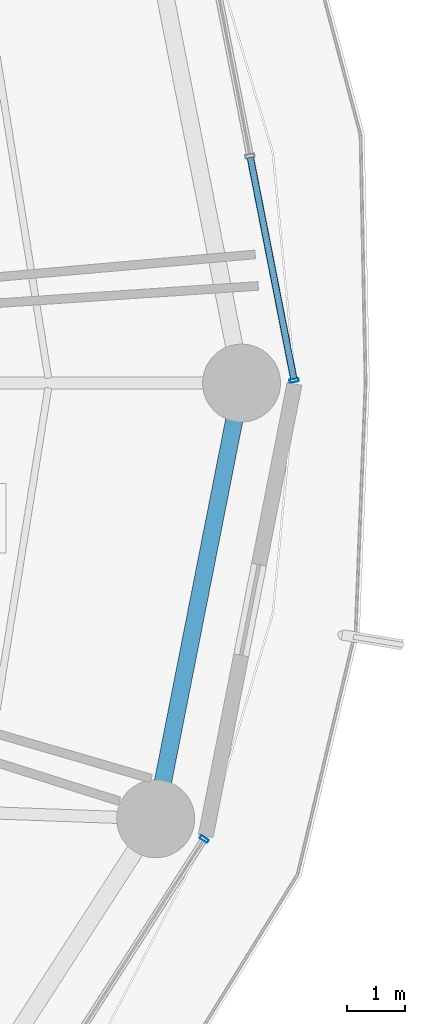
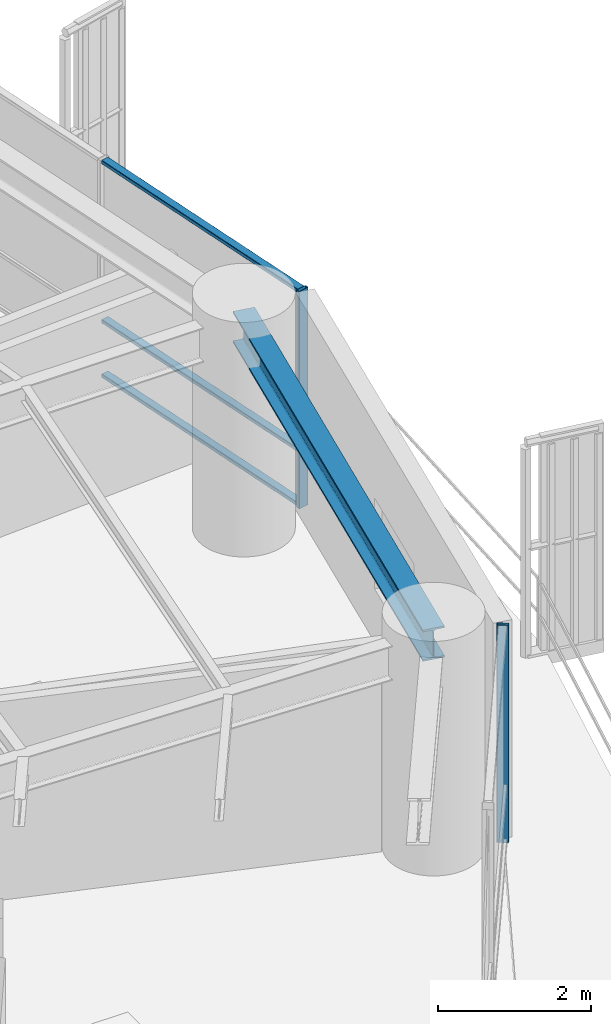
# One storey, part 16 of 38: 5 members, 1 beam, 2 elements without a shape of their own.
"""IFC4 building model written with IfcOpenShell, lengths in metres."""

from ifc_helpers import new_model, si_unit, direction, frame, origin, origin_2d, place, context, subcontext, project, spatial, hollow_rectangle, i_section, extrude, material, layer, layer_set, material_profile, profile_set, type_object, element, aggregate, save


model = new_model("IFC4")

# Units and contexts
model_context = context("Model", 3, precision=1e-05, world=origin(), true_north=direction((0.0, 1.0)))
body_context = subcontext(model_context, "Body", "Model", "MODEL_VIEW")
ifc_project = project(units=[si_unit("LENGTHUNIT", "METRE"), si_unit("AREAUNIT", "SQUARE_METRE"), si_unit("VOLUMEUNIT", "CUBIC_METRE"), si_unit("PLANEANGLEUNIT", "RADIAN"), si_unit("MASSUNIT", "GRAM", prefix="KILO")], contexts=[model_context])

# Site, building, storey
site_placement = place(None, origin())
site = spatial("IfcSite", under=ifc_project, at=site_placement, CompositionType="ELEMENT")
building_placement = place(site_placement, origin())
building = spatial("IfcBuilding", under=site, at=building_placement, Name="Kelanora Arch Commons", CompositionType="ELEMENT")
storey_placement = place(building_placement, frame((0.0, 0.0, 106.35009765625)))
storey = spatial("IfcBuildingStorey", under=building, at=storey_placement, Name="L27", CompositionType="ELEMENT", Elevation=106.35009765625)

# Beam
ifc_material_1 = material(Name="Steel S355", Category="steel")
ifc_material_profile_1 = material_profile(ifc_material_1, i_section(OverallWidth=0.300048828125, OverallDepth=0.5, WebThickness=0.014404296875, FlangeThickness=0.028076171875, FilletRadius=0.027099609375, at=origin_2d()), Name="HEB500")
ifc_profile_set_1 = profile_set([ifc_material_profile_1], Name="Steel S355")
beam_type = type_object("IfcBeamType", Name="BM-SPN-Z2", PredefinedType="SPANDREL", material=ifc_profile_set_1)
beam_placement = place(storey_placement, frame((97.191650390625, 50.4482421875, 3.239990234375), z_axis=(0.19335825777, 0.981128220037, 0.0), x_axis=(-0.981128220037, 0.19335825777, 0.0)))
element("IfcBeam", 1, at=beam_placement, inside=storey, type_object=beam_type, Name="Perimeter Spandrel Beam BS-34 L27", PredefinedType="SPANDREL", context=body_context, shape_type="SweptSolid", body=[
    extrude(i_section(OverallWidth=0.300048828125, OverallDepth=0.5, WebThickness=0.014404296875, FlangeThickness=0.028076171875, FilletRadius=0.027099609375, at=origin_2d()), origin(), (0.0, 0.0, 1.0), 7.697021484375),
])

# Curtain wall, member
ifc_material_2 = material(Name="Terracotta ceramic-fritted low-E glass and aluminium", Category="masonry")
ifc_layer = layer(ifc_material_2, 0.159912109375)
ifc_layer_set = layer_set([ifc_layer], Name="Terracotta ceramic-fritted low-E glass and aluminium")
curtain_wall_type = type_object("IfcCurtainWallType", Name="CW-SYS-01", PredefinedType="NOTDEFINED", material=ifc_layer_set)
curtain_wall_1_placement = place(storey_placement, origin())
curtain_wall_1 = element("IfcCurtainWall", 2, at=curtain_wall_1_placement, inside=storey, type_object=curtain_wall_type, Name="Unitised Curtain Wall L27-B00", PredefinedType="NOTDEFINED")
ifc_material_3 = material(Name="Powder-coated aluminium terracotta", Category="masonry")
ifc_material_profile_2 = material_profile(ifc_material_3, hollow_rectangle(XDim=0.159912109375, YDim=0.06005859375, WallThickness=0.0048828125, InnerFilletRadius=0.0048828125, OuterFilletRadius=0.010009765625, at=origin_2d()), Name="CWM160x60")
ifc_profile_set_2 = profile_set([ifc_material_profile_2], Name="Powder-coated aluminium terracotta")
member_type_1 = type_object("IfcMemberType", Name="CWM-STD", PredefinedType="MULLION", material=ifc_profile_set_2)
member_1_placement = place(storey_placement, frame((99.59130859375, 58.044189453125, 0.0), z_axis=(0.0, 0.0, 1.0), x_axis=(-0.981280311646, -0.192584916272, 0.0)))
member_1 = element("IfcMember", 3, at=member_1_placement, type_object=member_type_1, Name="CW-01 mullion 1", PredefinedType="MULLION", context=body_context, shape_type="SweptSolid", body=[
    extrude(hollow_rectangle(XDim=0.159912109375, YDim=0.06005859375, WallThickness=0.0048828125, InnerFilletRadius=0.0048828125, OuterFilletRadius=0.010009765625, at=origin_2d()), origin(), (0.0, 0.0, 1.0), 3.474853515625),
])

curtain_wall_2_placement = place(storey_placement, origin())
curtain_wall_2 = element("IfcCurtainWall", 4, at=curtain_wall_2_placement, inside=storey, type_object=curtain_wall_type, Name="Unitised Curtain Wall L27-B16", PredefinedType="NOTDEFINED")
member_2_placement = place(storey_placement, frame((98.03173828125, 50.095703125, 0.0), z_axis=(0.0, 0.0, 1.0), x_axis=(-0.841268883088, 0.540616931244, 0.0)))
member_2 = element("IfcMember", 5, at=member_2_placement, type_object=member_type_1, Name="CW-01 mullion 3", PredefinedType="MULLION", context=body_context, shape_type="SweptSolid", body=[
    extrude(hollow_rectangle(XDim=0.159912109375, YDim=0.06005859375, WallThickness=0.0048828125, InnerFilletRadius=0.0048828125, OuterFilletRadius=0.010009765625, at=origin_2d()), origin(), (0.0, 0.0, 1.0), 3.474853515625),
])
aggregate(curtain_wall_2, [member_2])

# Member
ifc_material_profile_3 = material_profile(ifc_material_3, hollow_rectangle(XDim=0.1201171875, YDim=0.06005859375, WallThickness=0.0048828125, InnerFilletRadius=0.0048828125, OuterFilletRadius=0.010009765625, at=origin_2d()), Name="CWT120x60")
ifc_profile_set_3 = profile_set([ifc_material_profile_3], Name="Powder-coated aluminium terracotta")
member_type_2 = type_object("IfcMemberType", Name="CWT-STD", PredefinedType="USERDEFINED", material=ifc_profile_set_3)
member_3_placement = place(storey_placement, frame((99.58544921875, 58.073486328125, 0.02978515625), z_axis=(-0.192578614785, 0.981281548348, 0.0), x_axis=(-0.981281548348, -0.192578614785, 0.0)))
member_3 = element("IfcMember", 6, at=member_3_placement, type_object=member_type_2, Name="CW-01 transom 1.1", ObjectType="TRANSOM", PredefinedType="USERDEFINED", context=body_context, shape_type="SweptSolid", body=[
    extrude(hollow_rectangle(XDim=0.1201171875, YDim=0.06005859375, WallThickness=0.0048828125, InnerFilletRadius=0.0048828125, OuterFilletRadius=0.010009765625, at=origin_2d()), origin(), (0.0, 0.0, 1.0), 3.9033203125),
])

member_4_placement = place(storey_placement, frame((99.58544921875, 58.073486328125, 0.89990234375), z_axis=(-0.192578614785, 0.981281548348, 0.0), x_axis=(-0.981281548348, -0.192578614785, 0.0)))
member_4 = element("IfcMember", 7, at=member_4_placement, type_object=member_type_2, Name="CW-01 transom 1.2", ObjectType="TRANSOM", PredefinedType="USERDEFINED", context=body_context, shape_type="SweptSolid", body=[
    extrude(hollow_rectangle(XDim=0.1201171875, YDim=0.06005859375, WallThickness=0.0048828125, InnerFilletRadius=0.0048828125, OuterFilletRadius=0.010009765625, at=origin_2d()), origin(), (0.0, 0.0, 1.0), 3.9033203125),
])

member_5_placement = place(storey_placement, frame((99.58544921875, 58.073486328125, 3.44482421875), z_axis=(-0.192578614785, 0.981281548348, 0.0), x_axis=(-0.981281548348, -0.192578614785, 0.0)))
member_5 = element("IfcMember", 8, at=member_5_placement, type_object=member_type_2, Name="CW-01 transom 1.3", ObjectType="TRANSOM", PredefinedType="USERDEFINED", context=body_context, shape_type="SweptSolid", body=[
    extrude(hollow_rectangle(XDim=0.1201171875, YDim=0.06005859375, WallThickness=0.0048828125, InnerFilletRadius=0.0048828125, OuterFilletRadius=0.010009765625, at=origin_2d()), origin(), (0.0, 0.0, 1.0), 3.9033203125),
])

aggregate(curtain_wall_1, [member_1, member_3, member_4, member_5])

save(model, "model.ifc")
